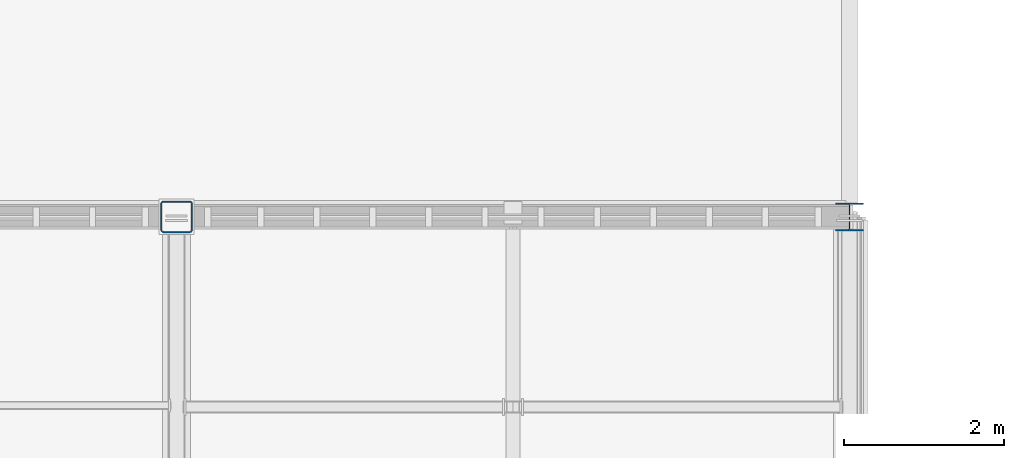
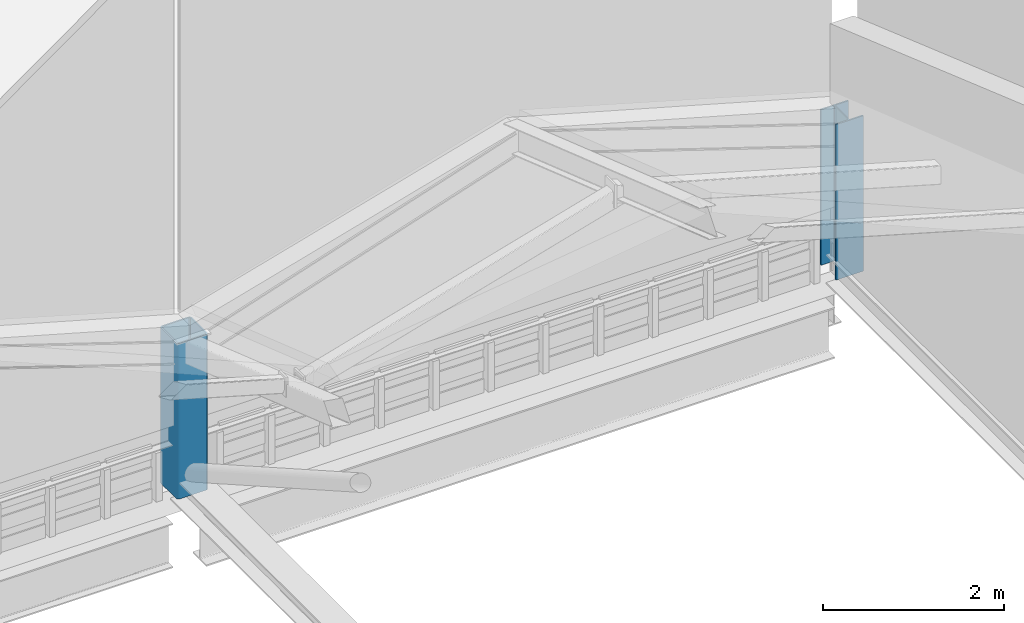
# One storey, part 2 of 77: 2 columns.
"""IFC4 building model written with IfcOpenShell, lengths in metres."""

from ifc_helpers import new_model, si_unit, direction, frame, origin, origin_2d, place, context, subcontext, project, spatial, hollow_rectangle, i_section, extrude, material, material_profile, profile_set, type_object, element, save


model = new_model("IFC4")

# Units and contexts
model_context = context("Model", 3, precision=1e-05, world=origin(), true_north=direction((0.0, 1.0)))
body_context = subcontext(model_context, "Body", "Model", "MODEL_VIEW")
ifc_project = project(units=[si_unit("LENGTHUNIT", "METRE"), si_unit("AREAUNIT", "SQUARE_METRE"), si_unit("VOLUMEUNIT", "CUBIC_METRE"), si_unit("PLANEANGLEUNIT", "RADIAN"), si_unit("MASSUNIT", "GRAM", prefix="KILO")], contexts=[model_context])

# Site, building, storey
site_placement = place(None, origin())
site = spatial("IfcSite", under=ifc_project, at=site_placement, CompositionType="ELEMENT")
building_placement = place(site_placement, origin())
building = spatial("IfcBuilding", under=site, at=building_placement, Name="Larkvane Passage Sports Hall", CompositionType="ELEMENT")
storey_placement = place(building_placement, frame((0.0, 0.0, 22.199951171875)))
storey = spatial("IfcBuildingStorey", under=building, at=storey_placement, Name="RF", CompositionType="ELEMENT", Elevation=22.199951171875)

# Columns
ifc_material_1 = material(Name="Steel S355JR", Category="steel")
ifc_material_profile_1 = material_profile(ifc_material_1, i_section(OverallWidth=0.35009765625, OverallDepth=0.35009765625, WebThickness=0.011962890625, FlangeThickness=0.01904296875, FilletRadius=0.012939453125, at=origin_2d()), Name="H-350x350x12x19")
ifc_profile_set_1 = profile_set([ifc_material_profile_1], Name="Steel S355JR")
column_type_1 = type_object("IfcColumnType", Name="COL-STL-H350", PredefinedType="COLUMN", material=ifc_profile_set_1)
column_1_placement = place(storey_placement, frame((93.60009765625, 75.60009765625, 0.0), z_axis=(0.0, 0.0, 1.0), x_axis=(1.0, 0.0, 0.0)))
element("IfcColumn", 1, at=column_1_placement, inside=storey, type_object=column_type_1, Name="Arena roof north eave column 13/J", PredefinedType="COLUMN", context=body_context, shape_type="SweptSolid", body=[
    extrude(i_section(OverallWidth=0.35009765625, OverallDepth=0.35009765625, WebThickness=0.011962890625, FlangeThickness=0.01904296875, FilletRadius=0.012939453125, at=origin_2d()), origin(), (0.0, 0.0, 1.0), 2.10009765625),
])
ifc_material_2 = material(Name="Steel S460N", Category="steel")
ifc_material_profile_2 = material_profile(ifc_material_2, hollow_rectangle(XDim=0.39990234375, YDim=0.39990234375, WallThickness=0.01904296875, InnerFilletRadius=0.01904296875, OuterFilletRadius=0.0380859375, at=origin_2d()), Name="SHS-400x400x19")
ifc_profile_set_2 = profile_set([ifc_material_profile_2], Name="Steel S460N")
column_type_2 = type_object("IfcColumnType", Name="COL-STL-SHS400", PredefinedType="COLUMN", material=ifc_profile_set_2)
column_2_placement = place(storey_placement, frame((85.199951171875, 75.60009765625, 0.0), z_axis=(0.0, 0.0, 1.0), x_axis=(1.0, 0.0, 0.0)))
element("IfcColumn", 2, at=column_2_placement, inside=storey, type_object=column_type_2, Name="Arena roof north eave column 12/J", PredefinedType="COLUMN", context=body_context, shape_type="SweptSolid", body=[
    extrude(hollow_rectangle(XDim=0.39990234375, YDim=0.39990234375, WallThickness=0.01904296875, InnerFilletRadius=0.01904296875, OuterFilletRadius=0.0380859375, at=origin_2d()), origin(), (0.0, 0.0, 1.0), 2.10009765625),
])

save(model, "model.ifc")
